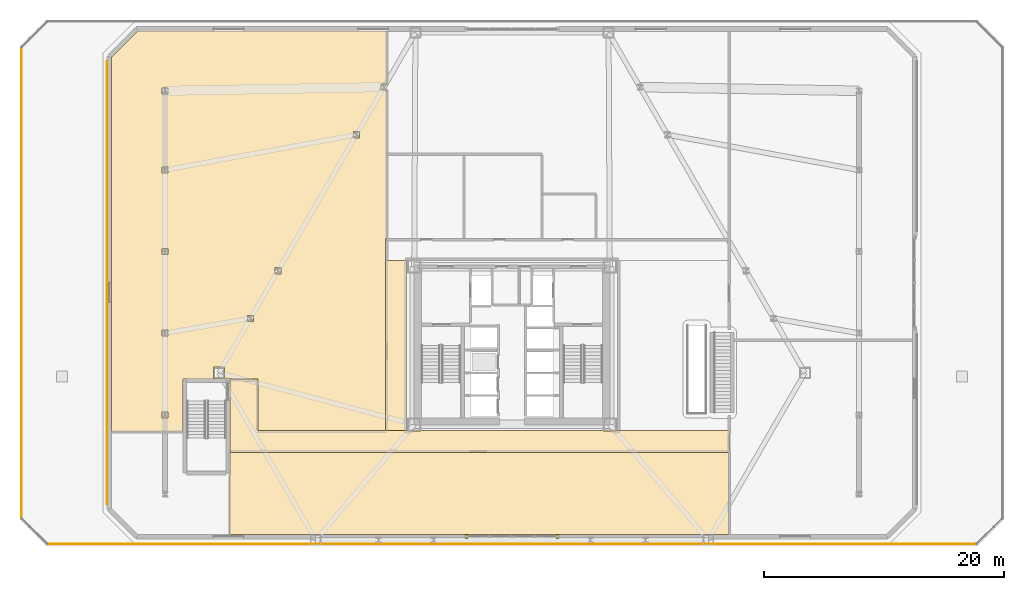
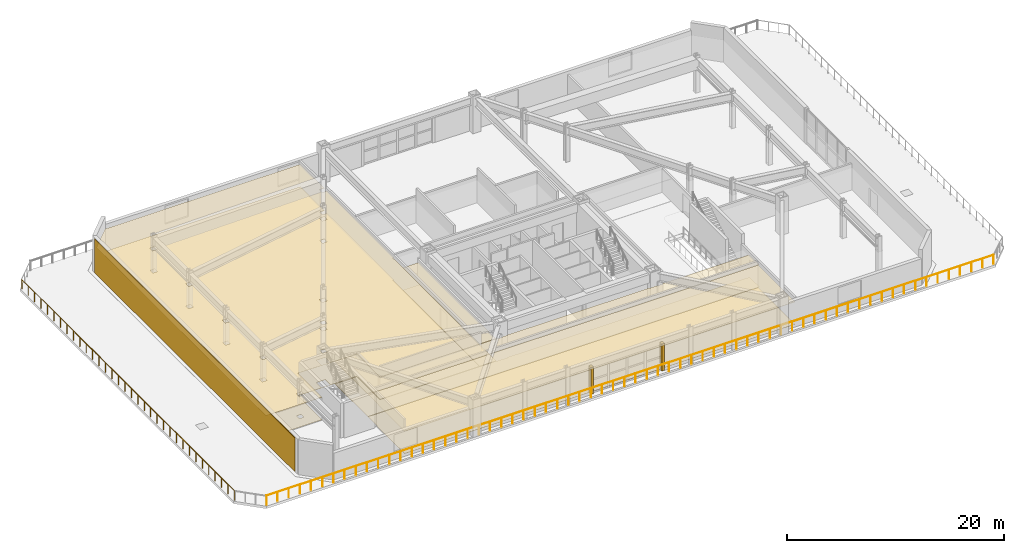
# One storey, part 12 of 16: 11 coverings, 2 railings.
"""IFC4 building model written with IfcOpenShell, lengths in metres."""

from ifc_helpers import new_model, si_unit, direction, frame, origin, origin_2d, place, context, subcontext, project, spatial, polyline, rectangle, circle, outline, extrude, material, layer, layer_set, type_object, element, save


model = new_model("IFC4")

# Units and contexts
model_context = context("Model", 3, precision=1e-05, world=origin(), true_north=direction((0.0, 1.0)))
body_context = subcontext(model_context, "Body", "Model", "MODEL_VIEW")
ifc_project = project(units=[si_unit("LENGTHUNIT", "METRE"), si_unit("AREAUNIT", "SQUARE_METRE"), si_unit("VOLUMEUNIT", "CUBIC_METRE"), si_unit("PLANEANGLEUNIT", "RADIAN"), si_unit("MASSUNIT", "GRAM", prefix="KILO")], contexts=[model_context])

# Site, building, storey
site_placement = place(None, origin())
site = spatial("IfcSite", under=ifc_project, at=site_placement, CompositionType="ELEMENT")
building_placement = place(site_placement, origin())
building = spatial("IfcBuilding", under=site, at=building_placement, Name="Oramaril Tower", CompositionType="ELEMENT")
storey_placement = place(building_placement, frame((0.0, 0.0, 9.89990234375)))
storey = spatial("IfcBuildingStorey", under=building, at=storey_placement, Name="L02", CompositionType="ELEMENT", Elevation=9.89990234375)

# Coverings
ifc_material_1 = material(Name="Mineral Fibre Acoustic Ceiling")
ifc_layer_1 = layer(ifc_material_1, 0.02001953125)
ifc_layer_set_1 = layer_set([ifc_layer_1], Name="CVT-CEIL")
covering_type_1 = type_object("IfcCoveringType", Name="CVT-CEIL", PredefinedType="CEILING", material=ifc_layer_set_1)
covering_1_placement = place(storey_placement, frame((0.0, 0.0, 2.522216796875)))
element("IfcCovering", 1, at=covering_1_placement, inside=storey, type_object=covering_type_1, Name="L02 Acoustic Suspended Ceiling 1", PredefinedType="CEILING", context=body_context, shape_type="SweptSolid", body=[
    extrude(outline(polyline([(28.780029296875, 10.47998046875), (28.780029296875, 10.429931640625), (29.919921875, 10.429931640625), (29.919921875, 10.47998046875), (45.080078125, 10.47998046875), (45.080078125, 10.429931640625), (46.219970703125, 10.429931640625), (46.219970703125, 10.47998046875), (55.679931640625, 10.47998046875), (55.679931640625, 8.669921875), (14.0, 8.669921875), (14.0, 14.760009765625), (16.330078125, 14.760009765625), (16.330078125, 10.47998046875), (28.780029296875, 10.47998046875)])), origin(), (0.0, 0.0, 1.0), 0.019775390625),
])
covering_2_placement = place(storey_placement, frame((0.0, 0.0, 2.522216796875)))
element("IfcCovering", 2, at=covering_2_placement, inside=storey, type_object=covering_type_1, Name="L02 Acoustic Suspended Ceiling 3", PredefinedType="CEILING", context=body_context, shape_type="SweptSolid", body=[
    extrude(outline(polyline([(28.699951171875, 10.5), (26.969970703125, 10.5), (26.969970703125, 24.64990234375), (28.699951171875, 24.64990234375), (28.699951171875, 10.5)])), origin(), (0.0, 0.0, 1.0), 0.019775390625),
])
covering_3_placement = place(storey_placement, frame((0.0, 0.0, 2.522216796875)))
element("IfcCovering", 3, at=covering_3_placement, inside=storey, type_object=covering_type_1, Name="L02 Acoustic Suspended Ceiling 7", PredefinedType="CEILING", context=body_context, shape_type="SweptSolid", body=[
    extrude(outline(polyline([(54.33203125, 1.818115234375), (54.33203125, 1.830078125), (53.39208984375, 1.830078125), (53.39208984375, 1.818115234375), (21.60791015625, 1.818115234375), (21.60791015625, 1.830078125), (20.66796875, 1.830078125), (20.66796875, 1.818115234375), (13.9580078125, 1.818115234375), (13.9580078125, 6.800048828125), (14.0, 6.800048828125), (14.0, 8.64990234375), (55.5380859375, 8.64990234375), (55.5380859375, 1.818115234375), (54.33203125, 1.818115234375)])), origin(), (0.0, 0.0, 1.0), 0.019775390625),
])
covering_4_placement = place(storey_placement, frame((0.0, 0.0, 2.522216796875)))
element("IfcCovering", 4, at=covering_4_placement, inside=storey, type_object=covering_type_1, Name="L02 Acoustic Suspended Ceiling 8", PredefinedType="CEILING", context=body_context, shape_type="SweptSolid", body=[
    extrude(outline(polyline([(27.092041015625, 43.781982421875), (27.092041015625, 26.5), (26.969970703125, 26.5), (26.968017578125, 26.5), (26.966064453125, 26.49951171875), (26.964111328125, 26.4990234375), (26.96240234375, 26.49853515625), (26.960693359375, 26.49755859375), (26.958984375, 26.49658203125), (26.957275390625, 26.49560546875), (26.955810546875, 26.494140625), (26.95458984375, 26.49267578125), (26.953369140625, 26.4912109375), (26.952392578125, 26.489501953125), (26.951416015625, 26.48779296875), (26.950927734375, 26.48583984375), (26.950439453125, 26.48388671875), (26.9501953125, 26.48193359375), (26.949951171875, 26.47998046875), (26.949951171875, 24.669921875), (26.9501953125, 24.66796875), (26.950439453125, 24.666015625), (26.950927734375, 24.664306640625), (26.951416015625, 24.662353515625), (26.952392578125, 24.66064453125), (26.95263671875, 24.659912109375), (26.952392578125, 24.659423828125), (26.951416015625, 24.65771484375), (26.950927734375, 24.65576171875), (26.950439453125, 24.65380859375), (26.9501953125, 24.652099609375), (26.949951171875, 24.64990234375), (26.949951171875, 10.5), (16.35009765625, 10.5), (16.35009765625, 14.760009765625), (16.349853515625, 14.761962890625), (16.349609375, 14.763916015625), (16.34912109375, 14.765869140625), (16.348388671875, 14.767578125), (16.34765625, 14.769287109375), (16.3466796875, 14.77099609375), (16.345458984375, 14.772705078125), (16.343994140625, 14.774169921875), (16.3427734375, 14.775390625), (16.341064453125, 14.776611328125), (16.33935546875, 14.777587890625), (16.337646484375, 14.778564453125), (16.335693359375, 14.779052734375), (16.333984375, 14.779541015625), (16.33203125, 14.77978515625), (16.330078125, 14.780029296875), (14.0, 14.780029296875), (14.0, 14.800048828125), (10.10009765625, 14.800048828125), (10.10009765625, 10.35791015625), (4.117919921875, 10.35791015625), (4.117919921875, 41.6025390625), (6.29736328125, 43.781982421875), (27.092041015625, 43.781982421875)]), holes=[polyline([(8.8525390625, 12.052490234375), (8.347412109375, 12.052490234375), (8.347412109375, 11.547607421875), (8.8525390625, 11.547607421875), (8.8525390625, 12.052490234375)]), polyline([(13.559814453125, 15.77001953125), (12.61962890625, 15.77001953125), (12.61962890625, 14.830078125), (13.559814453125, 14.830078125), (13.559814453125, 15.77001953125)]), polyline([(8.8525390625, 18.8525390625), (8.347412109375, 18.8525390625), (8.347412109375, 18.347412109375), (8.8525390625, 18.347412109375), (8.8525390625, 18.8525390625)]), polyline([(15.960205078125, 19.581787109375), (15.960205078125, 20.0869140625), (15.455078125, 20.0869140625), (15.455078125, 19.581787109375), (15.960205078125, 19.581787109375)]), polyline([(18.250732421875, 23.549560546875), (18.250732421875, 24.054443359375), (17.745849609375, 24.054443359375), (17.745849609375, 23.549560546875), (18.250732421875, 23.549560546875)]), polyline([(8.8525390625, 25.652587890625), (8.347412109375, 25.652587890625), (8.347412109375, 25.1474609375), (8.8525390625, 25.1474609375), (8.8525390625, 25.652587890625)]), polyline([(8.8525390625, 32.452392578125), (8.347412109375, 32.452392578125), (8.347412109375, 31.947509765625), (8.8525390625, 31.947509765625), (8.8525390625, 32.452392578125)]), polyline([(24.795654296875, 35.390380859375), (24.290771484375, 35.390380859375), (24.290771484375, 34.885498046875), (24.795654296875, 34.885498046875), (24.795654296875, 35.390380859375)]), polyline([(8.8525390625, 38.547607421875), (8.8525390625, 39.052490234375), (8.347412109375, 39.052490234375), (8.347412109375, 38.547607421875), (8.8525390625, 38.547607421875)]), polyline([(27.08642578125, 38.85302734375), (27.08642578125, 39.358154296875), (26.581298828125, 39.358154296875), (26.581298828125, 38.85302734375), (27.08642578125, 38.85302734375)])]), origin(), (0.0, 0.0, 1.0), 0.019775390625),
])
ifc_material_2 = material(Name="Warm Cream Limestone", Category="masonry")
ifc_layer_2 = layer(ifc_material_2, 0.050048828125)
ifc_layer_set_2 = layer_set([ifc_layer_2], Name="CVT-CLD")
covering_type_2 = type_object("IfcCoveringType", Name="CVT-CLD", PredefinedType="CLADDING", material=ifc_layer_set_2)
for number, where, z_axis, x_axis, name in (
    (5, (33.719970703125, 1.64990234375, 0.0), (0.0, 0.0, 1.0), (1.0, 0.0, 0.0), "L02 Curtain Wall Limestone Jamb Closure"),
    (6, (41.280029296875, 1.64990234375, 0.0), (0.0, 0.0, 1.0), (1.0, 0.0, 0.0), "L02 Curtain Wall Limestone Jamb Closure"),
):
    element("IfcCovering", number, at=place(storey_placement, frame(where, z_axis=z_axis, x_axis=x_axis)), inside=storey, type_object=covering_type_2, Name=name, PredefinedType="CLADDING", context=body_context, shape_type="SweptSolid", body=[
        extrude(rectangle(XDim=0.260009765625, YDim=0.340087890625, at=origin_2d()), origin(), (0.0, 0.0, 1.0), 3.053955078125),
    ])
covering_5_placement = place(storey_placement, frame((3.737060546875, 22.800048828125, 0.05029296875), z_axis=(0.0, 0.0, 1.0), x_axis=(0.0, -1.0, 0.0)))
element("IfcCovering", 7, at=covering_5_placement, inside=storey, type_object=covering_type_2, Name="L02 Warm Cream Limestone Cladding", PredefinedType="CLADDING", context=body_context, shape_type="SweptSolid", body=[
    extrude(rectangle(XDim=36.9443359375, YDim=0.050048828125, at=origin_2d()), origin(), (0.0, 0.0, 1.0), 3.820068359375),
])
ifc_material_3 = material(Name="Honed Quartzite Stone Flooring", Category="masonry")
ifc_layer_3 = layer(ifc_material_3, 0.02490234375)
ifc_layer_set_3 = layer_set([ifc_layer_3], Name="CVT-FLR")
covering_type_3 = type_object("IfcCoveringType", Name="CVT-FLR", PredefinedType="FLOORING", material=ifc_layer_set_3)
covering_6_placement = place(storey_placement, origin())
element("IfcCovering", 8, at=covering_6_placement, inside=storey, type_object=covering_type_3, Name="L02 Honed Stone Floor Finish 1", PredefinedType="FLOORING", context=body_context, shape_type="SweptSolid", body=[
    extrude(outline(polyline([(28.780029296875, 10.47998046875), (28.780029296875, 10.429931640625), (29.919921875, 10.429931640625), (29.919921875, 10.47998046875), (45.080078125, 10.47998046875), (45.080078125, 10.429931640625), (46.219970703125, 10.429931640625), (46.219970703125, 10.47998046875), (55.679931640625, 10.47998046875), (55.679931640625, 8.669921875), (14.0, 8.669921875), (14.0, 14.760009765625), (16.330078125, 14.760009765625), (16.330078125, 10.47998046875), (28.780029296875, 10.47998046875)])), origin(), (0.0, 0.0, 1.0), 0.025146484375),
])
covering_7_placement = place(storey_placement, origin())
element("IfcCovering", 9, at=covering_7_placement, inside=storey, type_object=covering_type_3, Name="L02 Honed Stone Floor Finish 3", PredefinedType="FLOORING", context=body_context, shape_type="SweptSolid", body=[
    extrude(outline(polyline([(28.699951171875, 10.5), (26.969970703125, 10.5), (26.969970703125, 24.64990234375), (28.699951171875, 24.64990234375), (28.699951171875, 10.5)])), origin(), (0.0, 0.0, 1.0), 0.025146484375),
])
covering_8_placement = place(storey_placement, origin())
element("IfcCovering", 10, at=covering_8_placement, inside=storey, type_object=covering_type_3, Name="L02 Honed Stone Floor Finish 7", PredefinedType="FLOORING", context=body_context, shape_type="SweptSolid", body=[
    extrude(outline(polyline([(54.33203125, 1.818115234375), (54.33203125, 1.830078125), (53.39208984375, 1.830078125), (53.39208984375, 1.818115234375), (21.60791015625, 1.818115234375), (21.60791015625, 1.830078125), (20.66796875, 1.830078125), (20.66796875, 1.818115234375), (13.9580078125, 1.818115234375), (13.9580078125, 6.800048828125), (14.0, 6.800048828125), (14.0, 8.64990234375), (55.5380859375, 8.64990234375), (55.5380859375, 1.818115234375), (54.33203125, 1.818115234375)])), origin(), (0.0, 0.0, 1.0), 0.025146484375),
])
covering_9_placement = place(storey_placement, origin())
element("IfcCovering", 11, at=covering_9_placement, inside=storey, type_object=covering_type_3, Name="L02 Honed Stone Floor Finish 8", PredefinedType="FLOORING", context=body_context, shape_type="SweptSolid", body=[
    extrude(outline(polyline([(27.092041015625, 43.781982421875), (27.092041015625, 26.5), (26.969970703125, 26.5), (26.968017578125, 26.5), (26.966064453125, 26.49951171875), (26.964111328125, 26.4990234375), (26.96240234375, 26.49853515625), (26.960693359375, 26.49755859375), (26.958984375, 26.49658203125), (26.957275390625, 26.49560546875), (26.955810546875, 26.494140625), (26.95458984375, 26.49267578125), (26.953369140625, 26.4912109375), (26.952392578125, 26.489501953125), (26.951416015625, 26.48779296875), (26.950927734375, 26.48583984375), (26.950439453125, 26.48388671875), (26.9501953125, 26.48193359375), (26.949951171875, 26.47998046875), (26.949951171875, 24.669921875), (26.9501953125, 24.66796875), (26.950439453125, 24.666015625), (26.950927734375, 24.664306640625), (26.951416015625, 24.662353515625), (26.952392578125, 24.66064453125), (26.95263671875, 24.659912109375), (26.952392578125, 24.659423828125), (26.951416015625, 24.65771484375), (26.950927734375, 24.65576171875), (26.950439453125, 24.65380859375), (26.9501953125, 24.652099609375), (26.949951171875, 24.64990234375), (26.949951171875, 10.5), (16.35009765625, 10.5), (16.35009765625, 14.760009765625), (16.349853515625, 14.761962890625), (16.349609375, 14.763916015625), (16.34912109375, 14.765869140625), (16.348388671875, 14.767578125), (16.34765625, 14.769287109375), (16.3466796875, 14.77099609375), (16.345458984375, 14.772705078125), (16.343994140625, 14.774169921875), (16.3427734375, 14.775390625), (16.341064453125, 14.776611328125), (16.33935546875, 14.777587890625), (16.337646484375, 14.778564453125), (16.335693359375, 14.779052734375), (16.333984375, 14.779541015625), (16.33203125, 14.77978515625), (16.330078125, 14.780029296875), (14.0, 14.780029296875), (14.0, 14.800048828125), (10.10009765625, 14.800048828125), (10.10009765625, 10.35791015625), (4.117919921875, 10.35791015625), (4.117919921875, 41.6025390625), (6.29736328125, 43.781982421875), (27.092041015625, 43.781982421875)]), holes=[polyline([(8.8525390625, 12.052490234375), (8.347412109375, 12.052490234375), (8.347412109375, 11.547607421875), (8.8525390625, 11.547607421875), (8.8525390625, 12.052490234375)]), polyline([(13.559814453125, 15.77001953125), (12.61962890625, 15.77001953125), (12.61962890625, 14.830078125), (13.559814453125, 14.830078125), (13.559814453125, 15.77001953125)]), polyline([(8.8525390625, 18.8525390625), (8.347412109375, 18.8525390625), (8.347412109375, 18.347412109375), (8.8525390625, 18.347412109375), (8.8525390625, 18.8525390625)]), polyline([(15.960205078125, 19.581787109375), (15.960205078125, 20.0869140625), (15.455078125, 20.0869140625), (15.455078125, 19.581787109375), (15.960205078125, 19.581787109375)]), polyline([(18.250732421875, 23.549560546875), (18.250732421875, 24.054443359375), (17.745849609375, 24.054443359375), (17.745849609375, 23.549560546875), (18.250732421875, 23.549560546875)]), polyline([(8.8525390625, 25.652587890625), (8.347412109375, 25.652587890625), (8.347412109375, 25.1474609375), (8.8525390625, 25.1474609375), (8.8525390625, 25.652587890625)]), polyline([(8.8525390625, 32.452392578125), (8.347412109375, 32.452392578125), (8.347412109375, 31.947509765625), (8.8525390625, 31.947509765625), (8.8525390625, 32.452392578125)]), polyline([(24.795654296875, 35.390380859375), (24.290771484375, 35.390380859375), (24.290771484375, 34.885498046875), (24.795654296875, 34.885498046875), (24.795654296875, 35.390380859375)]), polyline([(8.8525390625, 38.547607421875), (8.8525390625, 39.052490234375), (8.347412109375, 39.052490234375), (8.347412109375, 38.547607421875), (8.8525390625, 38.547607421875)]), polyline([(27.08642578125, 38.85302734375), (27.08642578125, 39.358154296875), (26.581298828125, 39.358154296875), (26.581298828125, 38.85302734375), (27.08642578125, 38.85302734375)])]), origin(), (0.0, 0.0, 1.0), 0.025146484375),
])

# Railings
ifc_material_4 = material(Name="Stainless Steel 316L", Category="steel")
railing_type = type_object("IfcRailingType", Name="RLT-GRD", PredefinedType="GUARDRAIL", material=ifc_material_4)
railing_1_placement = place(storey_placement, frame((-1.2119140625, 1.0400390625, 0.0)))
element("IfcRailing", 12, at=railing_1_placement, inside=storey, type_object=railing_type, Name="L02 Podium Terrace Guardrail 01", PredefinedType="GUARDRAIL", context=body_context, shape_type="SweptSolid", body=[
    extrude(circle(Radius=0.02392578125, at=origin_2d()), frame((0.0, 0.0, 1.076171875), z_axis=(1.0, 0.0, 0.0), x_axis=(0.0, 1.0, 0.0)), (0.0, 0.0, 1.0), 77.423828125),
    extrude(circle(Radius=0.02099609375, at=origin_2d()), origin(), (0.0, 0.0, 1.0), 1.052001953125),
    extrude(circle(Radius=0.02099609375, at=origin_2d()), frame((1.191162109375, 0.0, 0.0)), (0.0, 0.0, 1.0), 1.052001953125),
    extrude(circle(Radius=0.02099609375, at=origin_2d()), frame((2.38232421875, 0.0, 0.0)), (0.0, 0.0, 1.0), 1.052001953125),
    extrude(circle(Radius=0.02099609375, at=origin_2d()), frame((3.573486328125, 0.0, 0.0)), (0.0, 0.0, 1.0), 1.052001953125),
    extrude(circle(Radius=0.02099609375, at=origin_2d()), frame((4.7646484375, 0.0, 0.0)), (0.0, 0.0, 1.0), 1.052001953125),
    extrude(circle(Radius=0.02099609375, at=origin_2d()), frame((5.95556640625, 0.0, 0.0)), (0.0, 0.0, 1.0), 1.052001953125),
    extrude(circle(Radius=0.02099609375, at=origin_2d()), frame((7.146728515625, 0.0, 0.0)), (0.0, 0.0, 1.0), 1.052001953125),
    extrude(circle(Radius=0.02099609375, at=origin_2d()), frame((8.337890625, 0.0, 0.0)), (0.0, 0.0, 1.0), 1.052001953125),
    extrude(circle(Radius=0.02099609375, at=origin_2d()), frame((9.529052734375, 0.0, 0.0)), (0.0, 0.0, 1.0), 1.052001953125),
    extrude(circle(Radius=0.02099609375, at=origin_2d()), frame((10.72021484375, 0.0, 0.0)), (0.0, 0.0, 1.0), 1.052001953125),
    extrude(circle(Radius=0.02099609375, at=origin_2d()), frame((11.911376953125, 0.0, 0.0)), (0.0, 0.0, 1.0), 1.052001953125),
    extrude(circle(Radius=0.02099609375, at=origin_2d()), frame((13.1025390625, 0.0, 0.0)), (0.0, 0.0, 1.0), 1.052001953125),
    extrude(circle(Radius=0.02099609375, at=origin_2d()), frame((14.293701171875, 0.0, 0.0)), (0.0, 0.0, 1.0), 1.052001953125),
    extrude(circle(Radius=0.02099609375, at=origin_2d()), frame((15.48486328125, 0.0, 0.0)), (0.0, 0.0, 1.0), 1.052001953125),
    extrude(circle(Radius=0.02099609375, at=origin_2d()), frame((16.67578125, 0.0, 0.0)), (0.0, 0.0, 1.0), 1.052001953125),
    extrude(circle(Radius=0.02099609375, at=origin_2d()), frame((17.866943359375, 0.0, 0.0)), (0.0, 0.0, 1.0), 1.052001953125),
    extrude(circle(Radius=0.02099609375, at=origin_2d()), frame((19.05810546875, 0.0, 0.0)), (0.0, 0.0, 1.0), 1.052001953125),
    extrude(circle(Radius=0.02099609375, at=origin_2d()), frame((20.249267578125, 0.0, 0.0)), (0.0, 0.0, 1.0), 1.052001953125),
    extrude(circle(Radius=0.02099609375, at=origin_2d()), frame((21.4404296875, 0.0, 0.0)), (0.0, 0.0, 1.0), 1.052001953125),
    extrude(circle(Radius=0.02099609375, at=origin_2d()), frame((22.631591796875, 0.0, 0.0)), (0.0, 0.0, 1.0), 1.052001953125),
    extrude(circle(Radius=0.02099609375, at=origin_2d()), frame((23.82275390625, 0.0, 0.0)), (0.0, 0.0, 1.0), 1.052001953125),
    extrude(circle(Radius=0.02099609375, at=origin_2d()), frame((25.013916015625, 0.0, 0.0)), (0.0, 0.0, 1.0), 1.052001953125),
    extrude(circle(Radius=0.02099609375, at=origin_2d()), frame((26.205078125, 0.0, 0.0)), (0.0, 0.0, 1.0), 1.052001953125),
    extrude(circle(Radius=0.02099609375, at=origin_2d()), frame((27.396240234375, 0.0, 0.0)), (0.0, 0.0, 1.0), 1.052001953125),
    extrude(circle(Radius=0.02099609375, at=origin_2d()), frame((28.587158203125, 0.0, 0.0)), (0.0, 0.0, 1.0), 1.052001953125),
    extrude(circle(Radius=0.02099609375, at=origin_2d()), frame((29.7783203125, 0.0, 0.0)), (0.0, 0.0, 1.0), 1.052001953125),
    extrude(circle(Radius=0.02099609375, at=origin_2d()), frame((30.969482421875, 0.0, 0.0)), (0.0, 0.0, 1.0), 1.052001953125),
    extrude(circle(Radius=0.02099609375, at=origin_2d()), frame((32.16064453125, 0.0, 0.0)), (0.0, 0.0, 1.0), 1.052001953125),
    extrude(circle(Radius=0.02099609375, at=origin_2d()), frame((33.351806640625, 0.0, 0.0)), (0.0, 0.0, 1.0), 1.052001953125),
    extrude(circle(Radius=0.02099609375, at=origin_2d()), frame((34.54296875, 0.0, 0.0)), (0.0, 0.0, 1.0), 1.052001953125),
    extrude(circle(Radius=0.02099609375, at=origin_2d()), frame((35.734130859375, 0.0, 0.0)), (0.0, 0.0, 1.0), 1.052001953125),
    extrude(circle(Radius=0.02099609375, at=origin_2d()), frame((36.92529296875, 0.0, 0.0)), (0.0, 0.0, 1.0), 1.052001953125),
    extrude(circle(Radius=0.02099609375, at=origin_2d()), frame((38.116455078125, 0.0, 0.0)), (0.0, 0.0, 1.0), 1.052001953125),
    extrude(circle(Radius=0.02099609375, at=origin_2d()), frame((39.307373046875, 0.0, 0.0)), (0.0, 0.0, 1.0), 1.052001953125),
    extrude(circle(Radius=0.02099609375, at=origin_2d()), frame((40.49853515625, 0.0, 0.0)), (0.0, 0.0, 1.0), 1.052001953125),
    extrude(circle(Radius=0.02099609375, at=origin_2d()), frame((41.689697265625, 0.0, 0.0)), (0.0, 0.0, 1.0), 1.052001953125),
    extrude(circle(Radius=0.02099609375, at=origin_2d()), frame((42.880859375, 0.0, 0.0)), (0.0, 0.0, 1.0), 1.052001953125),
    extrude(circle(Radius=0.02099609375, at=origin_2d()), frame((44.072021484375, 0.0, 0.0)), (0.0, 0.0, 1.0), 1.052001953125),
    extrude(circle(Radius=0.02099609375, at=origin_2d()), frame((45.26318359375, 0.0, 0.0)), (0.0, 0.0, 1.0), 1.052001953125),
    extrude(circle(Radius=0.02099609375, at=origin_2d()), frame((46.454345703125, 0.0, 0.0)), (0.0, 0.0, 1.0), 1.052001953125),
    extrude(circle(Radius=0.02099609375, at=origin_2d()), frame((47.6455078125, 0.0, 0.0)), (0.0, 0.0, 1.0), 1.052001953125),
    extrude(circle(Radius=0.02099609375, at=origin_2d()), frame((48.836669921875, 0.0, 0.0)), (0.0, 0.0, 1.0), 1.052001953125),
    extrude(circle(Radius=0.02099609375, at=origin_2d()), frame((50.027587890625, 0.0, 0.0)), (0.0, 0.0, 1.0), 1.052001953125),
    extrude(circle(Radius=0.02099609375, at=origin_2d()), frame((51.21875, 0.0, 0.0)), (0.0, 0.0, 1.0), 1.052001953125),
    extrude(circle(Radius=0.02099609375, at=origin_2d()), frame((52.409912109375, 0.0, 0.0)), (0.0, 0.0, 1.0), 1.052001953125),
    extrude(circle(Radius=0.02099609375, at=origin_2d()), frame((53.60107421875, 0.0, 0.0)), (0.0, 0.0, 1.0), 1.052001953125),
    extrude(circle(Radius=0.02099609375, at=origin_2d()), frame((54.792236328125, 0.0, 0.0)), (0.0, 0.0, 1.0), 1.052001953125),
    extrude(circle(Radius=0.02099609375, at=origin_2d()), frame((55.9833984375, 0.0, 0.0)), (0.0, 0.0, 1.0), 1.052001953125),
    extrude(circle(Radius=0.02099609375, at=origin_2d()), frame((57.174560546875, 0.0, 0.0)), (0.0, 0.0, 1.0), 1.052001953125),
    extrude(circle(Radius=0.02099609375, at=origin_2d()), frame((58.36572265625, 0.0, 0.0)), (0.0, 0.0, 1.0), 1.052001953125),
    extrude(circle(Radius=0.02099609375, at=origin_2d()), frame((59.556884765625, 0.0, 0.0)), (0.0, 0.0, 1.0), 1.052001953125),
    extrude(circle(Radius=0.02099609375, at=origin_2d()), frame((60.748046875, 0.0, 0.0)), (0.0, 0.0, 1.0), 1.052001953125),
    extrude(circle(Radius=0.02099609375, at=origin_2d()), frame((61.93896484375, 0.0, 0.0)), (0.0, 0.0, 1.0), 1.052001953125),
    extrude(circle(Radius=0.02099609375, at=origin_2d()), frame((63.130126953125, 0.0, 0.0)), (0.0, 0.0, 1.0), 1.052001953125),
    extrude(circle(Radius=0.02099609375, at=origin_2d()), frame((64.3212890625, 0.0, 0.0)), (0.0, 0.0, 1.0), 1.052001953125),
    extrude(circle(Radius=0.02099609375, at=origin_2d()), frame((65.512451171875, 0.0, 0.0)), (0.0, 0.0, 1.0), 1.052001953125),
    extrude(circle(Radius=0.02099609375, at=origin_2d()), frame((66.70361328125, 0.0, 0.0)), (0.0, 0.0, 1.0), 1.052001953125),
    extrude(circle(Radius=0.02099609375, at=origin_2d()), frame((67.894775390625, 0.0, 0.0)), (0.0, 0.0, 1.0), 1.052001953125),
    extrude(circle(Radius=0.02099609375, at=origin_2d()), frame((69.0859375, 0.0, 0.0)), (0.0, 0.0, 1.0), 1.052001953125),
    extrude(circle(Radius=0.02099609375, at=origin_2d()), frame((70.277099609375, 0.0, 0.0)), (0.0, 0.0, 1.0), 1.052001953125),
    extrude(circle(Radius=0.02099609375, at=origin_2d()), frame((71.46826171875, 0.0, 0.0)), (0.0, 0.0, 1.0), 1.052001953125),
    extrude(circle(Radius=0.02099609375, at=origin_2d()), frame((72.6591796875, 0.0, 0.0)), (0.0, 0.0, 1.0), 1.052001953125),
    extrude(circle(Radius=0.02099609375, at=origin_2d()), frame((73.850341796875, 0.0, 0.0)), (0.0, 0.0, 1.0), 1.052001953125),
    extrude(circle(Radius=0.02099609375, at=origin_2d()), frame((75.04150390625, 0.0, 0.0)), (0.0, 0.0, 1.0), 1.052001953125),
    extrude(circle(Radius=0.02099609375, at=origin_2d()), frame((76.232666015625, 0.0, 0.0)), (0.0, 0.0, 1.0), 1.052001953125),
    extrude(circle(Radius=0.02099609375, at=origin_2d()), frame((77.423828125, 0.0, 0.0)), (0.0, 0.0, 1.0), 1.052001953125),
])
railing_2_placement = place(storey_placement, frame((-3.360107421875, 42.412109375, 0.0)))
element("IfcRailing", 13, at=railing_2_placement, inside=storey, type_object=railing_type, Name="L02 Podium Terrace Guardrail 07", PredefinedType="GUARDRAIL", context=body_context, shape_type="SweptSolid", body=[
    extrude(circle(Radius=0.02392578125, at=origin_2d()), frame((0.0, 0.0, 1.076171875), z_axis=(0.0, -1.0, 0.0), x_axis=(1.0, 0.0, 0.0)), (0.0, 0.0, 1.0), 39.22412109375),
    extrude(circle(Radius=0.02099609375, at=origin_2d()), origin(), (0.0, 0.0, 1.0), 1.052001953125),
    extrude(circle(Radius=0.02099609375, at=origin_2d()), frame((0.0, -1.188720703125, 0.0)), (0.0, 0.0, 1.0), 1.052001953125),
    extrude(circle(Radius=0.02099609375, at=origin_2d()), frame((0.0, -2.377197265625, 0.0)), (0.0, 0.0, 1.0), 1.052001953125),
    extrude(circle(Radius=0.02099609375, at=origin_2d()), frame((0.0, -3.56591796875, 0.0)), (0.0, 0.0, 1.0), 1.052001953125),
    extrude(circle(Radius=0.02099609375, at=origin_2d()), frame((0.0, -4.75439453125, 0.0)), (0.0, 0.0, 1.0), 1.052001953125),
    extrude(circle(Radius=0.02099609375, at=origin_2d()), frame((0.0, -5.943115234375, 0.0)), (0.0, 0.0, 1.0), 1.052001953125),
    extrude(circle(Radius=0.02099609375, at=origin_2d()), frame((0.0, -7.131591796875, 0.0)), (0.0, 0.0, 1.0), 1.052001953125),
    extrude(circle(Radius=0.02099609375, at=origin_2d()), frame((0.0, -8.3203125, 0.0)), (0.0, 0.0, 1.0), 1.052001953125),
    extrude(circle(Radius=0.02099609375, at=origin_2d()), frame((0.0, -9.5087890625, 0.0)), (0.0, 0.0, 1.0), 1.052001953125),
    extrude(circle(Radius=0.02099609375, at=origin_2d()), frame((0.0, -10.697509765625, 0.0)), (0.0, 0.0, 1.0), 1.052001953125),
    extrude(circle(Radius=0.02099609375, at=origin_2d()), frame((0.0, -11.885986328125, 0.0)), (0.0, 0.0, 1.0), 1.052001953125),
    extrude(circle(Radius=0.02099609375, at=origin_2d()), frame((0.0, -13.07470703125, 0.0)), (0.0, 0.0, 1.0), 1.052001953125),
    extrude(circle(Radius=0.02099609375, at=origin_2d()), frame((0.0, -14.263427734375, 0.0)), (0.0, 0.0, 1.0), 1.052001953125),
    extrude(circle(Radius=0.02099609375, at=origin_2d()), frame((0.0, -15.451904296875, 0.0)), (0.0, 0.0, 1.0), 1.052001953125),
    extrude(circle(Radius=0.02099609375, at=origin_2d()), frame((0.0, -16.640625, 0.0)), (0.0, 0.0, 1.0), 1.052001953125),
    extrude(circle(Radius=0.02099609375, at=origin_2d()), frame((0.0, -17.8291015625, 0.0)), (0.0, 0.0, 1.0), 1.052001953125),
    extrude(circle(Radius=0.02099609375, at=origin_2d()), frame((0.0, -19.017822265625, 0.0)), (0.0, 0.0, 1.0), 1.052001953125),
    extrude(circle(Radius=0.02099609375, at=origin_2d()), frame((0.0, -20.206298828125, 0.0)), (0.0, 0.0, 1.0), 1.052001953125),
    extrude(circle(Radius=0.02099609375, at=origin_2d()), frame((0.0, -21.39501953125, 0.0)), (0.0, 0.0, 1.0), 1.052001953125),
    extrude(circle(Radius=0.02099609375, at=origin_2d()), frame((0.0, -22.58349609375, 0.0)), (0.0, 0.0, 1.0), 1.052001953125),
    extrude(circle(Radius=0.02099609375, at=origin_2d()), frame((0.0, -23.772216796875, 0.0)), (0.0, 0.0, 1.0), 1.052001953125),
    extrude(circle(Radius=0.02099609375, at=origin_2d()), frame((0.0, -24.960693359375, 0.0)), (0.0, 0.0, 1.0), 1.052001953125),
    extrude(circle(Radius=0.02099609375, at=origin_2d()), frame((0.0, -26.1494140625, 0.0)), (0.0, 0.0, 1.0), 1.052001953125),
    extrude(circle(Radius=0.02099609375, at=origin_2d()), frame((0.0, -27.338134765625, 0.0)), (0.0, 0.0, 1.0), 1.052001953125),
    extrude(circle(Radius=0.02099609375, at=origin_2d()), frame((0.0, -28.526611328125, 0.0)), (0.0, 0.0, 1.0), 1.052001953125),
    extrude(circle(Radius=0.02099609375, at=origin_2d()), frame((0.0, -29.71533203125, 0.0)), (0.0, 0.0, 1.0), 1.052001953125),
    extrude(circle(Radius=0.02099609375, at=origin_2d()), frame((0.0, -30.90380859375, 0.0)), (0.0, 0.0, 1.0), 1.052001953125),
    extrude(circle(Radius=0.02099609375, at=origin_2d()), frame((0.0, -32.092529296875, 0.0)), (0.0, 0.0, 1.0), 1.052001953125),
    extrude(circle(Radius=0.02099609375, at=origin_2d()), frame((0.0, -33.281005859375, 0.0)), (0.0, 0.0, 1.0), 1.052001953125),
    extrude(circle(Radius=0.02099609375, at=origin_2d()), frame((0.0, -34.4697265625, 0.0)), (0.0, 0.0, 1.0), 1.052001953125),
    extrude(circle(Radius=0.02099609375, at=origin_2d()), frame((0.0, -35.658203125, 0.0)), (0.0, 0.0, 1.0), 1.052001953125),
    extrude(circle(Radius=0.02099609375, at=origin_2d()), frame((0.0, -36.846923828125, 0.0)), (0.0, 0.0, 1.0), 1.052001953125),
    extrude(circle(Radius=0.02099609375, at=origin_2d()), frame((0.0, -38.035400390625, 0.0)), (0.0, 0.0, 1.0), 1.052001953125),
    extrude(circle(Radius=0.02099609375, at=origin_2d()), frame((0.0, -39.22412109375, 0.0)), (0.0, 0.0, 1.0), 1.052001953125),
])

save(model, "model.ifc")
